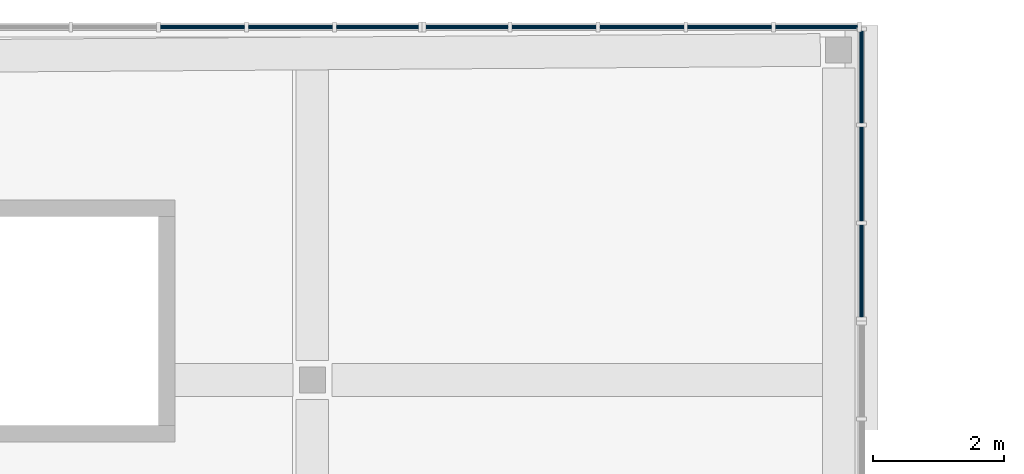
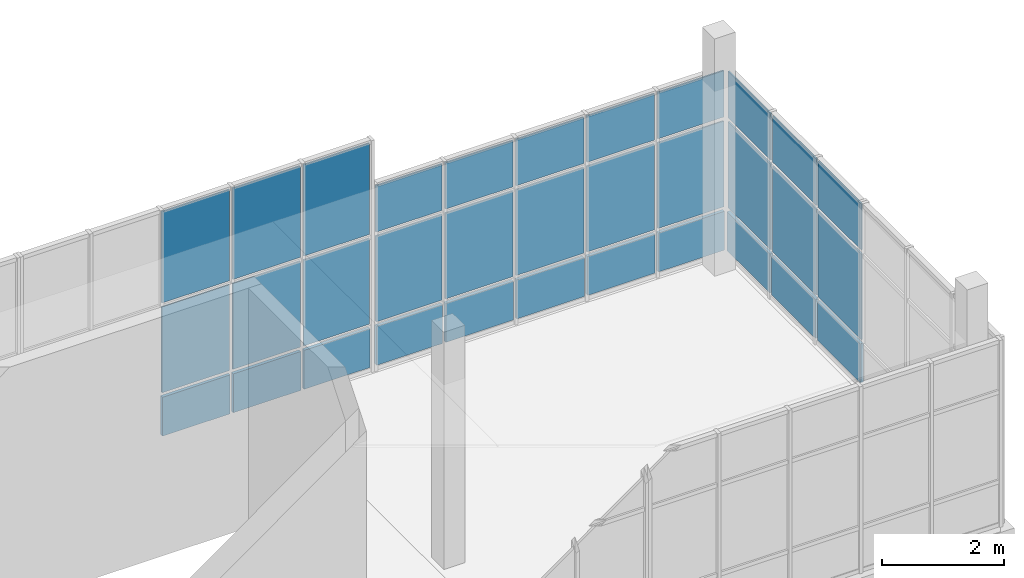
# One storey, part 48 of 103: 33 plates, 3 elements without a shape of their own.
"""IFC4 building model written with IfcOpenShell, lengths in metres."""

import ifcopenshell
import ifcopenshell.guid

model = None  # the IFC model being written
_history = None  # IfcOwnerHistory: only IFC2X3 demands one
_inside = {}  # id of a spatial element -> (the spatial element, [elements in it])
_under = {}  # id of a project, library or spatial element -> (it, [spatial elements below it])
_declared = {}  # id of a project -> (the project, [libraries it declares])
_typed = {}  # id of a type object -> (the type object, [elements of that type])
_made_of = {}  # id of a material, layer set ... -> (it, [elements and type objects made of it])


def new_model(schema):
    """Start an empty IFC model of exactly this schema.

    Asked for "IFC4X3", IfcOpenShell would pick the latest addendum, in which some entities
    have other attributes; the version numbers below select the first issue.
    IFC2X3 requires an IfcOwnerHistory on every rooted entity: one is made here for all.
    """
    global model, _history
    if schema == "IFC4X3":
        model = ifcopenshell.file(schema_version=(4, 3, 0, 0))
    else:
        model = ifcopenshell.file(schema=schema)
    _inside.clear()
    _under.clear()
    _declared.clear()
    _typed.clear()
    _made_of.clear()
    _history = None
    if model.schema == "IFC2X3":
        org = make("IfcOrganization", Name="unknown")
        user = make(
            "IfcPersonAndOrganization",
            ThePerson=make("IfcPerson", FamilyName="unknown"),
            TheOrganization=org,
        )
        app = make(
            "IfcApplication",
            ApplicationDeveloper=org,
            Version="unknown",
            ApplicationFullName="unknown",
            ApplicationIdentifier="unknown",
        )
        _history = make(
            "IfcOwnerHistory",
            OwningUser=user,
            OwningApplication=app,
            ChangeAction="ADDED",
            CreationDate=0,
        )
    return model


def make(cls, **values):
    """One entity of the class cls with the attributes given. An attribute that is None is left unset."""
    return model.create_entity(
        cls, **{name: value for name, value in values.items() if value is not None}
    )


def rooted(cls, **values):
    """An entity with a GlobalId (a new one), such as an element, a storey or a relation."""
    return make(cls, GlobalId=ifcopenshell.guid.new(), OwnerHistory=_history, **values)


def si_unit(unit_type, name, prefix=None):
    """IfcSIUnit, for example si_unit("LENGTHUNIT", "METRE", prefix="MILLI")."""
    return make("IfcSIUnit", UnitType=unit_type, Prefix=prefix, Name=name)


def assignment(units):
    """IfcUnitAssignment: the units of a project."""
    return None if units is None else make("IfcUnitAssignment", Units=units)


def point(xyz):
    """IfcCartesianPoint."""
    return None if xyz is None else make("IfcCartesianPoint", Coordinates=xyz)


def direction(xyz):
    """IfcDirection."""
    return None if xyz is None else make("IfcDirection", DirectionRatios=xyz)


def frame(location, z_axis=None, x_axis=None):
    """IfcAxis2Placement3D, a coordinate frame: its origin and axes. An axis left out is left unset."""
    return make(
        "IfcAxis2Placement3D",
        Location=point(location),
        Axis=direction(z_axis),
        RefDirection=direction(x_axis),
    )


def frame_2d(location, x_axis=None):
    """IfcAxis2Placement2D, a coordinate frame in the plane: its origin and x axis."""
    return make(
        "IfcAxis2Placement2D", Location=point(location), RefDirection=direction(x_axis)
    )


def origin():
    """The frame at (0, 0, 0) with its axes left unset."""
    return frame((0.0, 0.0, 0.0))


def origin_2d():
    """The frame at (0, 0) in the plane with its x axis left unset."""
    return frame_2d((0.0, 0.0))


def place(relative_to, where):
    """IfcLocalPlacement: puts the frame where relative to a parent placement (None: the world)."""
    return make(
        "IfcLocalPlacement", PlacementRelTo=relative_to, RelativePlacement=where
    )


def context(
    kind, dimensions, precision=None, world=None, true_north=None, identifier=None
):
    """IfcGeometricRepresentationContext, for example the 3D "Model" context."""
    return make(
        "IfcGeometricRepresentationContext",
        ContextIdentifier=identifier,
        ContextType=kind,
        CoordinateSpaceDimension=dimensions,
        Precision=precision,
        WorldCoordinateSystem=world,
        TrueNorth=true_north,
    )


def subcontext(parent, identifier, kind, view, scale=None):
    """IfcGeometricRepresentationSubContext, for example "Body" below "Model"."""
    return make(
        "IfcGeometricRepresentationSubContext",
        ContextIdentifier=identifier,
        ContextType=kind,
        ParentContext=parent,
        TargetScale=scale,
        TargetView=view,
    )


def project(units=None, contexts=None):
    """IfcProject with its units and contexts."""
    return rooted(
        "IfcProject",
        Name="project",
        RepresentationContexts=contexts,
        UnitsInContext=assignment(units),
    )


def spatial(cls, under=None, at=None, **own):
    """A site, building, storey or space (cls), placed at a placement, below another one or the project."""
    s = rooted(cls, ObjectPlacement=at, **own)
    if under is not None:
        _under.setdefault(under.id(), (under, []))[1].append(s)
    return s


def profile(cls, at=None, kind="AREA", **sizes):
    """A parametric profile (cls). Its sizes go by their IFC names, for example OverallWidth=200.0."""
    return make(cls, ProfileType=kind, Position=at, **sizes)


def rectangle(**sizes):
    """IfcRectangleProfileDef."""
    return profile("IfcRectangleProfileDef", **sizes)


def extrude(swept, where, along, depth):
    """IfcExtrudedAreaSolid: the profile swept, set in the frame where, extruded along a direction by depth."""
    return make(
        "IfcExtrudedAreaSolid",
        SweptArea=swept,
        Position=where,
        ExtrudedDirection=direction(along),
        Depth=depth,
    )


def shape(context_of_items, identifier, shape_type, items):
    """IfcShapeRepresentation: the items that make up one representation, for example the "Body"."""
    return make(
        "IfcShapeRepresentation",
        ContextOfItems=context_of_items,
        RepresentationIdentifier=identifier,
        RepresentationType=shape_type,
        Items=items,
    )


def material(Name=None, Category=None):
    """IfcMaterial."""
    return make("IfcMaterial", Name=Name, Category=Category)


def layer(
    of_material, thickness, ventilated=None, Name=None, Category=None, Priority=None
):
    """IfcMaterialLayer: one layer of a wall or slab, of a material (None: an air gap)."""
    return make(
        "IfcMaterialLayer",
        Material=of_material,
        LayerThickness=thickness,
        IsVentilated=ventilated,
        Name=Name,
        Category=Category,
        Priority=Priority,
    )


def layer_set(layers, Name=None):
    """IfcMaterialLayerSet."""
    return make("IfcMaterialLayerSet", MaterialLayers=layers, LayerSetName=Name)


def made_of(thing, what):
    """Note that an element or type object is made of a material, layer set ...; save() writes the relation."""
    if what is not None:
        _made_of.setdefault(what.id(), (what, []))[1].append(thing)
    return thing


def type_object(cls, material=None, **own):
    """A type object (cls), such as IfcWallType, which elements share."""
    return made_of(rooted(cls, **own), material)


def element(
    cls,
    number,
    at=None,
    inside=None,
    cuts=None,
    type_object=None,
    material=None,
    context=None,
    identifier="Body",
    shape_type=None,
    held_by="IfcProductDefinitionShape",
    body=None,
    shapes=None,
    **own,
):
    """One element of the class cls, such as IfcWall. Its Tag is "e" and its number.

    at: its placement. inside: the storey or other place that contains it. cuts: it is an
    opening in that element (IfcRelVoidsElement). A single representation is given by context,
    identifier, shape_type and body (its items); several are given by shapes. held_by: the class
    of the entity that holds the representations. save() writes the other relations.
    """
    e = rooted(cls, Tag="e%d" % number, ObjectPlacement=at, **own)
    if body is not None:
        shapes = [shape(context, identifier, shape_type, body)]
    if shapes is not None:
        e.Representation = make(held_by, Representations=shapes)
    if inside is not None:
        _inside.setdefault(inside.id(), (inside, []))[1].append(e)
    if cuts is not None:
        rooted(
            "IfcRelVoidsElement", RelatingBuildingElement=cuts, RelatedOpeningElement=e
        )
    if type_object is not None:
        _typed.setdefault(type_object.id(), (type_object, []))[1].append(e)
    return made_of(e, material)


def aggregate(whole, parts):
    """IfcRelAggregates: a whole, such as a stair, and the parts it consists of."""
    return rooted("IfcRelAggregates", RelatingObject=whole, RelatedObjects=parts)


def save(model, path):
    """Write the relations noted so far, then the file.

    IfcRelAggregates (storeys below a building ...), IfcRelContainedInSpatialStructure (elements
    in a storey), IfcRelDefinesByType, IfcRelAssociatesMaterial and IfcRelDeclares: one each for
    every whole, place, type object, material and project.
    """
    for whole, parts in _under.values():
        aggregate(whole, parts)
    for where, things in _inside.values():
        rooted(
            "IfcRelContainedInSpatialStructure",
            RelatedElements=things,
            RelatingStructure=where,
        )
    for kind, things in _typed.values():
        rooted("IfcRelDefinesByType", RelatedObjects=things, RelatingType=kind)
    for what, things in _made_of.values():
        rooted("IfcRelAssociatesMaterial", RelatedObjects=things, RelatingMaterial=what)
    for by, libraries in _declared.values():
        rooted("IfcRelDeclares", RelatingContext=by, RelatedDefinitions=libraries)
    model.write(path)


model = new_model("IFC4")

# Units and contexts
model_context = context("Model", 3, precision=1e-05, world=origin(), true_north=direction((0.0, 1.0)))
body_context = subcontext(model_context, "Body", "Model", "MODEL_VIEW")
ifc_project = project(units=[si_unit("LENGTHUNIT", "METRE"), si_unit("AREAUNIT", "SQUARE_METRE"), si_unit("VOLUMEUNIT", "CUBIC_METRE"), si_unit("PLANEANGLEUNIT", "RADIAN"), si_unit("MASSUNIT", "GRAM", prefix="KILO")], contexts=[model_context])

# Site, building, storey
site_placement = place(None, origin())
site = spatial("IfcSite", under=ifc_project, at=site_placement, CompositionType="ELEMENT")
building_placement = place(site_placement, origin())
building = spatial("IfcBuilding", under=site, at=building_placement, Name="Larchfold Concert Hall", CompositionType="ELEMENT")
storey_placement = place(building_placement, frame((0.0, 0.0, 9.60009765625)))
storey = spatial("IfcBuildingStorey", under=building, at=storey_placement, Name="L02", CompositionType="ELEMENT", Elevation=9.60009765625)

# Curtain wall, plates
ifc_material_1 = material(Name="Anodised graphite aluminium curtain wall", Category="aluminium")
ifc_layer_1 = layer(ifc_material_1, 0.14990234375)
ifc_layer_set_1 = layer_set([ifc_layer_1], Name="Anodised graphite aluminium curtain wall")
curtain_wall_type = type_object("IfcCurtainWallType", Name="Curtain wall WG", PredefinedType="NOTDEFINED", material=ifc_layer_set_1)
curtain_wall_1_placement = place(storey_placement, origin())
curtain_wall_1 = element("IfcCurtainWall", 1, at=curtain_wall_1_placement, inside=storey, type_object=curtain_wall_type, Name="Curtain wall CW0249", PredefinedType="NOTDEFINED")
ifc_material_2 = material(Name="Insulated glazing unit, glass", Category="glass")
ifc_layer_2 = layer(ifc_material_2, 0.028076171875)
ifc_layer_set_2 = layer_set([ifc_layer_2], Name="Insulated glazing unit, glass")
plate_type_1 = type_object("IfcPlateType", Name="Glass panel 28", PredefinedType="CURTAIN_PANEL", material=ifc_layer_set_2)
plate_1_placement = place(storey_placement, frame((76.199951171875, 128.264892578125, 0.93994140625), z_axis=(0.0, 0.0, 1.0), x_axis=(0.0, 1.0, 0.0)))
plate_1 = element("IfcPlate", 2, at=plate_1_placement, type_object=plate_type_1, Name="CW0249 panel 1.2", PredefinedType="CURTAIN_PANEL", context=body_context, shape_type="SweptSolid", body=[
    extrude(rectangle(XDim=1.409912109375, YDim=0.028076171875, at=origin_2d()), origin(), (0.0, 0.0, 1.0), 1.719970703125),
])
plate_2_placement = place(storey_placement, frame((76.199951171875, 128.264892578125, 2.740234375), z_axis=(0.0, 0.0, 1.0), x_axis=(0.0, 1.0, 0.0)))
plate_2 = element("IfcPlate", 3, at=plate_2_placement, type_object=plate_type_1, Name="CW0249 panel 1.3", PredefinedType="CURTAIN_PANEL", context=body_context, shape_type="SweptSolid", body=[
    extrude(rectangle(XDim=1.409912109375, YDim=0.028076171875, at=origin_2d()), origin(), (0.0, 0.0, 1.0), 0.929931640625),
])
plate_3_placement = place(storey_placement, frame((76.199951171875, 129.75, 0.93994140625), z_axis=(0.0, 0.0, 1.0), x_axis=(0.0, 1.0, 0.0)))
plate_3 = element("IfcPlate", 4, at=plate_3_placement, type_object=plate_type_1, Name="CW0249 panel 2.2", PredefinedType="CURTAIN_PANEL", context=body_context, shape_type="SweptSolid", body=[
    extrude(rectangle(XDim=1.43994140625, YDim=0.028076171875, at=origin_2d()), origin(), (0.0, 0.0, 1.0), 1.719970703125),
])
plate_4_placement = place(storey_placement, frame((76.199951171875, 129.75, 2.740234375), z_axis=(0.0, 0.0, 1.0), x_axis=(0.0, 1.0, 0.0)))
plate_4 = element("IfcPlate", 5, at=plate_4_placement, type_object=plate_type_1, Name="CW0249 panel 2.3", PredefinedType="CURTAIN_PANEL", context=body_context, shape_type="SweptSolid", body=[
    extrude(rectangle(XDim=1.43994140625, YDim=0.028076171875, at=origin_2d()), origin(), (0.0, 0.0, 1.0), 0.929931640625),
])
plate_5_placement = place(storey_placement, frame((76.199951171875, 131.235107421875, 0.93994140625), z_axis=(0.0, 0.0, 1.0), x_axis=(0.0, 1.0, 0.0)))
plate_5 = element("IfcPlate", 6, at=plate_5_placement, type_object=plate_type_1, Name="CW0249 panel 3.2", PredefinedType="CURTAIN_PANEL", context=body_context, shape_type="SweptSolid", body=[
    extrude(rectangle(XDim=1.409912109375, YDim=0.028076171875, at=origin_2d()), origin(), (0.0, 0.0, 1.0), 1.719970703125),
])
plate_6_placement = place(storey_placement, frame((76.199951171875, 131.235107421875, 2.740234375), z_axis=(0.0, 0.0, 1.0), x_axis=(0.0, 1.0, 0.0)))
plate_6 = element("IfcPlate", 7, at=plate_6_placement, type_object=plate_type_1, Name="CW0249 panel 3.3", PredefinedType="CURTAIN_PANEL", context=body_context, shape_type="SweptSolid", body=[
    extrude(rectangle(XDim=1.409912109375, YDim=0.028076171875, at=origin_2d()), origin(), (0.0, 0.0, 1.0), 0.929931640625),
])

curtain_wall_2_placement = place(storey_placement, origin())
curtain_wall_2 = element("IfcCurtainWall", 8, at=curtain_wall_2_placement, inside=storey, type_object=curtain_wall_type, Name="Curtain wall CW0250", PredefinedType="NOTDEFINED")
plate_7_placement = place(storey_placement, frame((75.512939453125, 132.0, 0.93994140625), z_axis=(0.0, 0.0, 1.0), x_axis=(-1.0, 0.0, 0.0)))
plate_7 = element("IfcPlate", 9, at=plate_7_placement, type_object=plate_type_1, Name="CW0250 panel 1.2", PredefinedType="CURTAIN_PANEL", context=body_context, shape_type="SweptSolid", body=[
    extrude(rectangle(XDim=1.25390625, YDim=0.028076171875, at=origin_2d()), origin(), (0.0, 0.0, 1.0), 1.719970703125),
])
plate_8_placement = place(storey_placement, frame((75.512939453125, 132.0, 2.740234375), z_axis=(0.0, 0.0, 1.0), x_axis=(-1.0, 0.0, 0.0)))
plate_8 = element("IfcPlate", 10, at=plate_8_placement, type_object=plate_type_1, Name="CW0250 panel 1.3", PredefinedType="CURTAIN_PANEL", context=body_context, shape_type="SweptSolid", body=[
    extrude(rectangle(XDim=1.25390625, YDim=0.028076171875, at=origin_2d()), origin(), (0.0, 0.0, 1.0), 0.929931640625),
])
plate_9_placement = place(storey_placement, frame((74.18408203125, 132.0, 0.93994140625), z_axis=(0.0, 0.0, 1.0), x_axis=(-1.0, 0.0, 0.0)))
plate_9 = element("IfcPlate", 11, at=plate_9_placement, type_object=plate_type_1, Name="CW0250 panel 2.2", PredefinedType="CURTAIN_PANEL", context=body_context, shape_type="SweptSolid", body=[
    extrude(rectangle(XDim=1.283935546875, YDim=0.028076171875, at=origin_2d()), origin(), (0.0, 0.0, 1.0), 1.719970703125),
])
plate_10_placement = place(storey_placement, frame((74.18408203125, 132.0, 2.740234375), z_axis=(0.0, 0.0, 1.0), x_axis=(-1.0, 0.0, 0.0)))
plate_10 = element("IfcPlate", 12, at=plate_10_placement, type_object=plate_type_1, Name="CW0250 panel 2.3", PredefinedType="CURTAIN_PANEL", context=body_context, shape_type="SweptSolid", body=[
    extrude(rectangle(XDim=1.283935546875, YDim=0.028076171875, at=origin_2d()), origin(), (0.0, 0.0, 1.0), 0.929931640625),
])
plate_11_placement = place(storey_placement, frame((72.83984375, 132.0, 0.93994140625), z_axis=(0.0, 0.0, 1.0), x_axis=(-1.0, 0.0, 0.0)))
plate_11 = element("IfcPlate", 13, at=plate_11_placement, type_object=plate_type_1, Name="CW0250 panel 3.2", PredefinedType="CURTAIN_PANEL", context=body_context, shape_type="SweptSolid", body=[
    extrude(rectangle(XDim=1.283935546875, YDim=0.028076171875, at=origin_2d()), origin(), (0.0, 0.0, 1.0), 1.719970703125),
])
plate_12_placement = place(storey_placement, frame((72.83984375, 132.0, 2.740234375), z_axis=(0.0, 0.0, 1.0), x_axis=(-1.0, 0.0, 0.0)))
plate_12 = element("IfcPlate", 14, at=plate_12_placement, type_object=plate_type_1, Name="CW0250 panel 3.3", PredefinedType="CURTAIN_PANEL", context=body_context, shape_type="SweptSolid", body=[
    extrude(rectangle(XDim=1.283935546875, YDim=0.028076171875, at=origin_2d()), origin(), (0.0, 0.0, 1.0), 0.929931640625),
])
plate_13_placement = place(storey_placement, frame((71.49609375, 132.0, 0.93994140625), z_axis=(0.0, 0.0, 1.0), x_axis=(-1.0, 0.0, 0.0)))
plate_13 = element("IfcPlate", 15, at=plate_13_placement, type_object=plate_type_1, Name="CW0250 panel 4.2", PredefinedType="CURTAIN_PANEL", context=body_context, shape_type="SweptSolid", body=[
    extrude(rectangle(XDim=1.283935546875, YDim=0.028076171875, at=origin_2d()), origin(), (0.0, 0.0, 1.0), 1.719970703125),
])
plate_14_placement = place(storey_placement, frame((71.49609375, 132.0, 2.740234375), z_axis=(0.0, 0.0, 1.0), x_axis=(-1.0, 0.0, 0.0)))
plate_14 = element("IfcPlate", 16, at=plate_14_placement, type_object=plate_type_1, Name="CW0250 panel 4.3", PredefinedType="CURTAIN_PANEL", context=body_context, shape_type="SweptSolid", body=[
    extrude(rectangle(XDim=1.283935546875, YDim=0.028076171875, at=origin_2d()), origin(), (0.0, 0.0, 1.0), 0.929931640625),
])
plate_15_placement = place(storey_placement, frame((70.1669921875, 132.0, 0.93994140625), z_axis=(0.0, 0.0, 1.0), x_axis=(-1.0, 0.0, 0.0)))
plate_15 = element("IfcPlate", 17, at=plate_15_placement, type_object=plate_type_1, Name="CW0250 panel 5.2", PredefinedType="CURTAIN_PANEL", context=body_context, shape_type="SweptSolid", body=[
    extrude(rectangle(XDim=1.25390625, YDim=0.028076171875, at=origin_2d()), origin(), (0.0, 0.0, 1.0), 1.719970703125),
])
plate_16_placement = place(storey_placement, frame((70.1669921875, 132.0, 2.740234375), z_axis=(0.0, 0.0, 1.0), x_axis=(-1.0, 0.0, 0.0)))
plate_16 = element("IfcPlate", 18, at=plate_16_placement, type_object=plate_type_1, Name="CW0250 panel 5.3", PredefinedType="CURTAIN_PANEL", context=body_context, shape_type="SweptSolid", body=[
    extrude(rectangle(XDim=1.25390625, YDim=0.028076171875, at=origin_2d()), origin(), (0.0, 0.0, 1.0), 0.929931640625),
])

curtain_wall_3_placement = place(storey_placement, origin())
curtain_wall_3 = element("IfcCurtainWall", 19, at=curtain_wall_3_placement, inside=storey, type_object=curtain_wall_type, Name="Curtain wall CW0251", PredefinedType="NOTDEFINED")
plate_17_placement = place(storey_placement, frame((68.79296875, 132.0, 0.93994140625), z_axis=(0.0, 0.0, 1.0), x_axis=(-1.0, 0.0, 0.0)))
plate_17 = element("IfcPlate", 20, at=plate_17_placement, type_object=plate_type_1, Name="CW0251 panel 1.2", PredefinedType="CURTAIN_PANEL", context=body_context, shape_type="SweptSolid", body=[
    extrude(rectangle(XDim=1.25390625, YDim=0.028076171875, at=origin_2d()), origin(), (0.0, 0.0, 1.0), 1.719970703125),
])
plate_18_placement = place(storey_placement, frame((68.79296875, 132.0, 2.740234375), z_axis=(0.0, 0.0, 1.0), x_axis=(-1.0, 0.0, 0.0)))
plate_18 = element("IfcPlate", 21, at=plate_18_placement, type_object=plate_type_1, Name="CW0251 panel 1.3", PredefinedType="CURTAIN_PANEL", context=body_context, shape_type="SweptSolid", body=[
    extrude(rectangle(XDim=1.25390625, YDim=0.028076171875, at=origin_2d()), origin(), (0.0, 0.0, 1.0), 1.829833984375),
])
plate_19_placement = place(storey_placement, frame((67.464111328125, 132.0, 0.93994140625), z_axis=(0.0, 0.0, 1.0), x_axis=(-1.0, 0.0, 0.0)))
plate_19 = element("IfcPlate", 22, at=plate_19_placement, type_object=plate_type_1, Name="CW0251 panel 2.2", PredefinedType="CURTAIN_PANEL", context=body_context, shape_type="SweptSolid", body=[
    extrude(rectangle(XDim=1.283935546875, YDim=0.028076171875, at=origin_2d()), origin(), (0.0, 0.0, 1.0), 1.719970703125),
])
plate_20_placement = place(storey_placement, frame((67.464111328125, 132.0, 2.740234375), z_axis=(0.0, 0.0, 1.0), x_axis=(-1.0, 0.0, 0.0)))
plate_20 = element("IfcPlate", 23, at=plate_20_placement, type_object=plate_type_1, Name="CW0251 panel 2.3", PredefinedType="CURTAIN_PANEL", context=body_context, shape_type="SweptSolid", body=[
    extrude(rectangle(XDim=1.283935546875, YDim=0.028076171875, at=origin_2d()), origin(), (0.0, 0.0, 1.0), 1.829833984375),
])
plate_21_placement = place(storey_placement, frame((66.119873046875, 132.0, 0.93994140625), z_axis=(0.0, 0.0, 1.0), x_axis=(-1.0, 0.0, 0.0)))
plate_21 = element("IfcPlate", 24, at=plate_21_placement, type_object=plate_type_1, Name="CW0251 panel 3.2", PredefinedType="CURTAIN_PANEL", context=body_context, shape_type="SweptSolid", body=[
    extrude(rectangle(XDim=1.283935546875, YDim=0.028076171875, at=origin_2d()), origin(), (0.0, 0.0, 1.0), 1.719970703125),
])
plate_22_placement = place(storey_placement, frame((66.119873046875, 132.0, 2.740234375), z_axis=(0.0, 0.0, 1.0), x_axis=(-1.0, 0.0, 0.0)))
plate_22 = element("IfcPlate", 25, at=plate_22_placement, type_object=plate_type_1, Name="CW0251 panel 3.3", PredefinedType="CURTAIN_PANEL", context=body_context, shape_type="SweptSolid", body=[
    extrude(rectangle(XDim=1.283935546875, YDim=0.028076171875, at=origin_2d()), origin(), (0.0, 0.0, 1.0), 1.829833984375),
])

# Plate
ifc_material_3 = material(Name="White insulated panel")
ifc_layer_3 = layer(ifc_material_3, 0.06005859375)
ifc_layer_set_3 = layer_set([ifc_layer_3], Name="White insulated panel")
plate_type_2 = type_object("IfcPlateType", Name="Insulated spandrel panel 60", PredefinedType="CURTAIN_PANEL", material=ifc_layer_set_3)
plate_23_placement = place(storey_placement, frame((76.199951171875, 128.264892578125, 0.080078125), z_axis=(0.0, 0.0, 1.0), x_axis=(0.0, 1.0, 0.0)))
plate_23 = element("IfcPlate", 26, at=plate_23_placement, type_object=plate_type_2, Name="CW0249 panel 1.1", PredefinedType="CURTAIN_PANEL", context=body_context, shape_type="SweptSolid", body=[
    extrude(rectangle(XDim=1.409912109375, YDim=0.06005859375, at=origin_2d()), origin(), (0.0, 0.0, 1.0), 0.77978515625),
])

plate_24_placement = place(storey_placement, frame((76.199951171875, 129.75, 0.080078125), z_axis=(0.0, 0.0, 1.0), x_axis=(0.0, 1.0, 0.0)))
plate_24 = element("IfcPlate", 27, at=plate_24_placement, type_object=plate_type_2, Name="CW0249 panel 2.1", PredefinedType="CURTAIN_PANEL", context=body_context, shape_type="SweptSolid", body=[
    extrude(rectangle(XDim=1.43994140625, YDim=0.06005859375, at=origin_2d()), origin(), (0.0, 0.0, 1.0), 0.77978515625),
])

plate_25_placement = place(storey_placement, frame((76.199951171875, 131.235107421875, 0.080078125), z_axis=(0.0, 0.0, 1.0), x_axis=(0.0, 1.0, 0.0)))
plate_25 = element("IfcPlate", 28, at=plate_25_placement, type_object=plate_type_2, Name="CW0249 panel 3.1", PredefinedType="CURTAIN_PANEL", context=body_context, shape_type="SweptSolid", body=[
    extrude(rectangle(XDim=1.409912109375, YDim=0.06005859375, at=origin_2d()), origin(), (0.0, 0.0, 1.0), 0.77978515625),
])

aggregate(curtain_wall_1, [plate_23, plate_1, plate_2, plate_24, plate_3, plate_4, plate_25, plate_5, plate_6])

plate_26_placement = place(storey_placement, frame((75.512939453125, 132.0, 0.080078125), z_axis=(0.0, 0.0, 1.0), x_axis=(-1.0, 0.0, 0.0)))
plate_26 = element("IfcPlate", 29, at=plate_26_placement, type_object=plate_type_2, Name="CW0250 panel 1.1", PredefinedType="CURTAIN_PANEL", context=body_context, shape_type="SweptSolid", body=[
    extrude(rectangle(XDim=1.25390625, YDim=0.06005859375, at=origin_2d()), origin(), (0.0, 0.0, 1.0), 0.77978515625),
])

plate_27_placement = place(storey_placement, frame((74.18408203125, 132.0, 0.080078125), z_axis=(0.0, 0.0, 1.0), x_axis=(-1.0, 0.0, 0.0)))
plate_27 = element("IfcPlate", 30, at=plate_27_placement, type_object=plate_type_2, Name="CW0250 panel 2.1", PredefinedType="CURTAIN_PANEL", context=body_context, shape_type="SweptSolid", body=[
    extrude(rectangle(XDim=1.283935546875, YDim=0.06005859375, at=origin_2d()), origin(), (0.0, 0.0, 1.0), 0.77978515625),
])

plate_28_placement = place(storey_placement, frame((72.83984375, 132.0, 0.080078125), z_axis=(0.0, 0.0, 1.0), x_axis=(-1.0, 0.0, 0.0)))
plate_28 = element("IfcPlate", 31, at=plate_28_placement, type_object=plate_type_2, Name="CW0250 panel 3.1", PredefinedType="CURTAIN_PANEL", context=body_context, shape_type="SweptSolid", body=[
    extrude(rectangle(XDim=1.283935546875, YDim=0.06005859375, at=origin_2d()), origin(), (0.0, 0.0, 1.0), 0.77978515625),
])

plate_29_placement = place(storey_placement, frame((71.49609375, 132.0, 0.080078125), z_axis=(0.0, 0.0, 1.0), x_axis=(-1.0, 0.0, 0.0)))
plate_29 = element("IfcPlate", 32, at=plate_29_placement, type_object=plate_type_2, Name="CW0250 panel 4.1", PredefinedType="CURTAIN_PANEL", context=body_context, shape_type="SweptSolid", body=[
    extrude(rectangle(XDim=1.283935546875, YDim=0.06005859375, at=origin_2d()), origin(), (0.0, 0.0, 1.0), 0.77978515625),
])

plate_30_placement = place(storey_placement, frame((70.1669921875, 132.0, 0.080078125), z_axis=(0.0, 0.0, 1.0), x_axis=(-1.0, 0.0, 0.0)))
plate_30 = element("IfcPlate", 33, at=plate_30_placement, type_object=plate_type_2, Name="CW0250 panel 5.1", PredefinedType="CURTAIN_PANEL", context=body_context, shape_type="SweptSolid", body=[
    extrude(rectangle(XDim=1.25390625, YDim=0.06005859375, at=origin_2d()), origin(), (0.0, 0.0, 1.0), 0.77978515625),
])

aggregate(curtain_wall_2, [plate_26, plate_7, plate_8, plate_27, plate_9, plate_10, plate_28, plate_11, plate_12, plate_29, plate_13, plate_14, plate_30, plate_15, plate_16])

plate_31_placement = place(storey_placement, frame((68.79296875, 132.0, 0.080078125), z_axis=(0.0, 0.0, 1.0), x_axis=(-1.0, 0.0, 0.0)))
plate_31 = element("IfcPlate", 34, at=plate_31_placement, type_object=plate_type_2, Name="CW0251 panel 1.1", PredefinedType="CURTAIN_PANEL", context=body_context, shape_type="SweptSolid", body=[
    extrude(rectangle(XDim=1.25390625, YDim=0.06005859375, at=origin_2d()), origin(), (0.0, 0.0, 1.0), 0.77978515625),
])

plate_32_placement = place(storey_placement, frame((67.464111328125, 132.0, 0.080078125), z_axis=(0.0, 0.0, 1.0), x_axis=(-1.0, 0.0, 0.0)))
plate_32 = element("IfcPlate", 35, at=plate_32_placement, type_object=plate_type_2, Name="CW0251 panel 2.1", PredefinedType="CURTAIN_PANEL", context=body_context, shape_type="SweptSolid", body=[
    extrude(rectangle(XDim=1.283935546875, YDim=0.06005859375, at=origin_2d()), origin(), (0.0, 0.0, 1.0), 0.77978515625),
])

plate_33_placement = place(storey_placement, frame((66.119873046875, 132.0, 0.080078125), z_axis=(0.0, 0.0, 1.0), x_axis=(-1.0, 0.0, 0.0)))
plate_33 = element("IfcPlate", 36, at=plate_33_placement, type_object=plate_type_2, Name="CW0251 panel 3.1", PredefinedType="CURTAIN_PANEL", context=body_context, shape_type="SweptSolid", body=[
    extrude(rectangle(XDim=1.283935546875, YDim=0.06005859375, at=origin_2d()), origin(), (0.0, 0.0, 1.0), 0.77978515625),
])

aggregate(curtain_wall_3, [plate_31, plate_17, plate_18, plate_32, plate_19, plate_20, plate_33, plate_21, plate_22])

save(model, "model.ifc")
